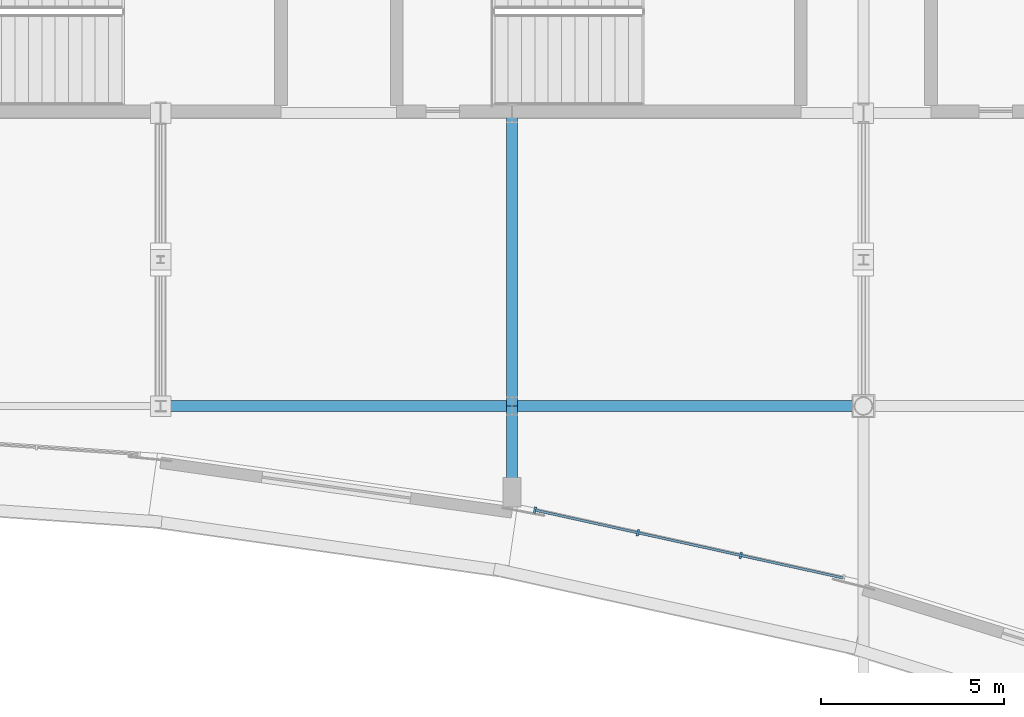
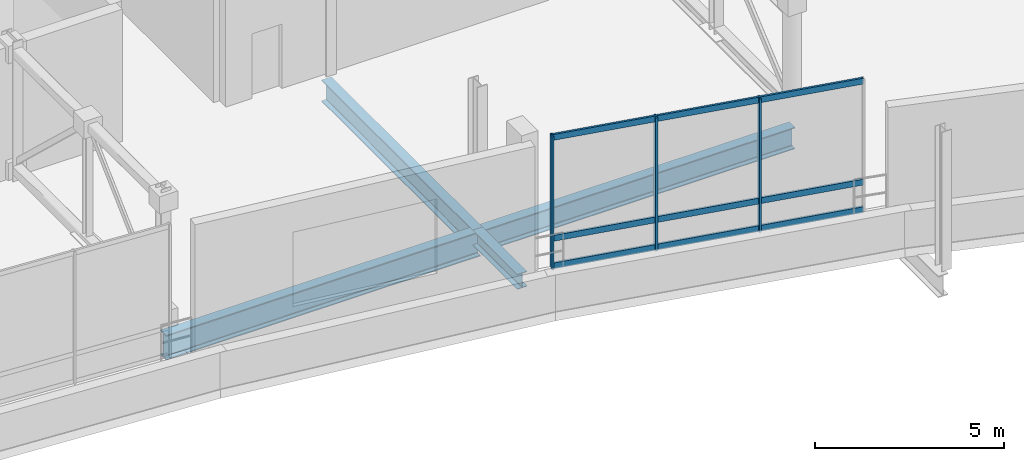
# One storey, part 37 of 193: 6 members, 4 beams, 1 element without a shape of its own.
"""IFC4 building model written with IfcOpenShell, lengths in metres."""

from ifc_helpers import new_model, si_unit, direction, frame, origin, origin_2d, place, context, subcontext, project, spatial, rectangle, i_section, extrude, material, material_profile, profile_set, type_object, element, aggregate, save


model = new_model("IFC4")

# Units and contexts
model_context = context("Model", 3, precision=1e-05, world=origin(), true_north=direction((0.0, 1.0)))
body_context = subcontext(model_context, "Body", "Model", "MODEL_VIEW")
ifc_project = project(units=[si_unit("LENGTHUNIT", "METRE"), si_unit("AREAUNIT", "SQUARE_METRE"), si_unit("VOLUMEUNIT", "CUBIC_METRE"), si_unit("PLANEANGLEUNIT", "RADIAN"), si_unit("MASSUNIT", "GRAM", prefix="KILO")], contexts=[model_context])

# Site, building, storey
site_placement = place(None, origin())
site = spatial("IfcSite", under=ifc_project, at=site_placement, CompositionType="ELEMENT")
building_placement = place(site_placement, origin())
building = spatial("IfcBuilding", under=site, at=building_placement, Name="Danafjord Basin Convention Centre", CompositionType="ELEMENT")
storey_placement = place(building_placement, frame((0.0, 0.0, 11.39990234375)))
storey = spatial("IfcBuildingStorey", under=building, at=storey_placement, Name="L02", CompositionType="ELEMENT", Elevation=11.39990234375)

# Beams
ifc_material_1 = material(Name="Steel S355", Category="steel")
ifc_material_profile_1 = material_profile(ifc_material_1, i_section(OverallWidth=0.300048828125, OverallDepth=0.489990234375, WebThickness=0.011962890625, FlangeThickness=0.02294921875, FilletRadius=0.027099609375, at=origin_2d()), Name="HEA 500")
ifc_profile_set_1 = profile_set([ifc_material_profile_1], Name="Steel S355")
beam_type_1 = type_object("IfcBeamType", Name="BEAM-BM-HEA500", PredefinedType="BEAM", material=ifc_profile_set_1)
beam_1_placement = place(storey_placement, frame((86.39990234375, 5.64306640625, -0.494873046875), z_axis=(0.0, 1.0, 0.0), x_axis=(-1.0, 0.0, 0.0)))
element("IfcBeam", 1, at=beam_1_placement, inside=storey, type_object=beam_type_1, Name="L02 radial harbour arc girder", PredefinedType="BEAM", context=body_context, shape_type="SweptSolid", body=[
    extrude(i_section(OverallWidth=0.300048828125, OverallDepth=0.489990234375, WebThickness=0.011962890625, FlangeThickness=0.02294921875, FilletRadius=0.027099609375, at=origin_2d()), origin(), (0.0, 0.0, 1.0), 2.35693359375),
])
ifc_material_profile_2 = material_profile(ifc_material_1, i_section(OverallWidth=0.300048828125, OverallDepth=0.699951171875, WebThickness=0.01708984375, FlangeThickness=0.031982421875, FilletRadius=0.027099609375, at=origin_2d()), Name="HEB 700")
ifc_profile_set_2 = profile_set([ifc_material_profile_2], Name="Steel S355")
beam_type_2 = type_object("IfcBeamType", Name="BEAM-BM-HEB700", PredefinedType="BEAM", material=ifc_profile_set_2)
beam_2_placement = place(storey_placement, frame((86.39990234375, 8.0, -0.599853515625), z_axis=(1.0, 0.0, 0.0), x_axis=(0.0, 1.0, 0.0)))
element("IfcBeam", 2, at=beam_2_placement, inside=storey, type_object=beam_type_2, Name="L02 girder BM-HEB700", PredefinedType="BEAM", context=body_context, shape_type="SweptSolid", body=[
    extrude(i_section(OverallWidth=0.300048828125, OverallDepth=0.699951171875, WebThickness=0.01708984375, FlangeThickness=0.031982421875, FilletRadius=0.027099609375, at=origin_2d()), origin(), (0.0, 0.0, 1.0), 9.60009765625),
])
beam_3_placement = place(storey_placement, frame((86.39990234375, 8.0, -0.599853515625), z_axis=(0.0, 1.0, 0.0), x_axis=(-1.0, 0.0, 0.0)))
element("IfcBeam", 3, at=beam_3_placement, inside=storey, type_object=beam_type_2, Name="L02 transverse girder BM-HEB700", PredefinedType="BEAM", context=body_context, shape_type="SweptSolid", body=[
    extrude(i_section(OverallWidth=0.300048828125, OverallDepth=0.699951171875, WebThickness=0.01708984375, FlangeThickness=0.031982421875, FilletRadius=0.027099609375, at=origin_2d()), origin(), (0.0, 0.0, 1.0), 8.0),
])
ifc_material_profile_3 = material_profile(ifc_material_1, i_section(OverallWidth=0.300048828125, OverallDepth=0.800048828125, WebThickness=0.017578125, FlangeThickness=0.032958984375, FilletRadius=0.030029296875, at=origin_2d()), Name="HEB 800")
ifc_profile_set_3 = profile_set([ifc_material_profile_3], Name="Steel S355")
beam_type_3 = type_object("IfcBeamType", Name="BEAM-BM-HEB800", PredefinedType="BEAM", material=ifc_profile_set_3)
beam_4_placement = place(storey_placement, frame((76.800048828125, 8.0, -0.64990234375), z_axis=(1.0, 0.0, 0.0), x_axis=(0.0, 1.0, 0.0)))
element("IfcBeam", 4, at=beam_4_placement, inside=storey, type_object=beam_type_3, Name="L02 girder BM-HEB800", PredefinedType="BEAM", context=body_context, shape_type="SweptSolid", body=[
    extrude(i_section(OverallWidth=0.300048828125, OverallDepth=0.800048828125, WebThickness=0.017578125, FlangeThickness=0.032958984375, FilletRadius=0.030029296875, at=origin_2d()), origin(), (0.0, 0.0, 1.0), 9.599853515625),
])

# Curtain wall, members
ifc_material_2 = material(Name="Anodised aluminium and triple glazing", Category="aluminium")
curtain_wall_type = type_object("IfcCurtainWallType", Name="CW-CW-HARB", PredefinedType="NOTDEFINED", material=ifc_material_2)
curtain_wall_placement = place(storey_placement, origin())
curtain_wall = element("IfcCurtainWall", 5, at=curtain_wall_placement, inside=storey, type_object=curtain_wall_type, Name="L02 CW-HARB unitised curtain wall bay 26", PredefinedType="NOTDEFINED")
ifc_material_3 = material(Name="Anodised aluminium EN AW-6060", Category="aluminium")
ifc_material_profile_4 = material_profile(ifc_material_3, rectangle(XDim=0.06005859375, YDim=0.179931640625, at=origin_2d()), Name="MULL 60x180")
ifc_profile_set_4 = profile_set([ifc_material_profile_4], Name="Anodised aluminium EN AW-6060")
member_type_1 = type_object("IfcMemberType", Name="MEM-ML-180", PredefinedType="MULLION", material=ifc_profile_set_4)
member_1_placement = place(storey_placement, frame((87.028564453125, 5.1572265625, -0.02490234375), z_axis=(0.0, 0.0, 1.0), x_axis=(0.976623114167, -0.214958816695, 0.0)))
member_1 = element("IfcMember", 6, at=member_1_placement, type_object=member_type_1, Name="CW-L02-026 mullion 1", PredefinedType="MULLION", context=body_context, shape_type="SweptSolid", body=[
    extrude(rectangle(XDim=0.06005859375, YDim=0.179931640625, at=origin_2d()), origin(), (0.0, 0.0, 1.0), 4.304931640625),
])
member_2_placement = place(storey_placement, frame((89.837890625, 4.5390625, -0.02490234375), z_axis=(0.0, 0.0, 1.0), x_axis=(0.976623114167, -0.214958816695, 0.0)))
member_2 = element("IfcMember", 7, at=member_2_placement, type_object=member_type_1, Name="CW-L02-026 mullion 2", PredefinedType="MULLION", context=body_context, shape_type="SweptSolid", body=[
    extrude(rectangle(XDim=0.06005859375, YDim=0.179931640625, at=origin_2d()), origin(), (0.0, 0.0, 1.0), 4.304931640625),
])
member_3_placement = place(storey_placement, frame((92.647216796875, 3.920654296875, -0.02490234375), z_axis=(0.0, 0.0, 1.0), x_axis=(0.976623114167, -0.214958816695, 0.0)))
member_3 = element("IfcMember", 8, at=member_3_placement, type_object=member_type_1, Name="CW-L02-026 mullion 3", PredefinedType="MULLION", context=body_context, shape_type="SweptSolid", body=[
    extrude(rectangle(XDim=0.06005859375, YDim=0.179931640625, at=origin_2d()), origin(), (0.0, 0.0, 1.0), 4.304931640625),
])
ifc_material_profile_5 = material_profile(ifc_material_3, rectangle(XDim=0.06494140625, YDim=0.18994140625, at=origin_2d()), Name="TRAN 65x190")
ifc_profile_set_5 = profile_set([ifc_material_profile_5], Name="Anodised aluminium EN AW-6060")
member_type_2 = type_object("IfcMemberType", Name="MEM-TR-190", PredefinedType="USERDEFINED", material=ifc_profile_set_5)
member_4_placement = place(storey_placement, frame((87.028564453125, 5.1572265625, 0.06005859375), z_axis=(0.976624396642, -0.214952989939, 0.0), x_axis=(0.214952989939, 0.976624396642, 0.0)))
member_4 = element("IfcMember", 9, at=member_4_placement, type_object=member_type_2, Name="CW-L02-026 transom 1", ObjectType="TRANSOM", PredefinedType="USERDEFINED", context=body_context, shape_type="SweptSolid", body=[
    extrude(rectangle(XDim=0.06494140625, YDim=0.18994140625, at=origin_2d()), origin(), (0.0, 0.0, 1.0), 8.629638671875),
])
member_5_placement = place(storey_placement, frame((87.028564453125, 5.1572265625, 0.9501953125), z_axis=(0.976624396642, -0.214952989939, 0.0), x_axis=(0.214952989939, 0.976624396642, 0.0)))
member_5 = element("IfcMember", 10, at=member_5_placement, type_object=member_type_2, Name="CW-L02-026 transom 2", ObjectType="TRANSOM", PredefinedType="USERDEFINED", context=body_context, shape_type="SweptSolid", body=[
    extrude(rectangle(XDim=0.06494140625, YDim=0.18994140625, at=origin_2d()), origin(), (0.0, 0.0, 1.0), 8.629638671875),
])
member_6_placement = place(storey_placement, frame((87.028564453125, 5.1572265625, 4.210205078125), z_axis=(0.976624396642, -0.214952989939, 0.0), x_axis=(0.214952989939, 0.976624396642, 0.0)))
member_6 = element("IfcMember", 11, at=member_6_placement, type_object=member_type_2, Name="CW-L02-026 transom 3", ObjectType="TRANSOM", PredefinedType="USERDEFINED", context=body_context, shape_type="SweptSolid", body=[
    extrude(rectangle(XDim=0.06494140625, YDim=0.18994140625, at=origin_2d()), origin(), (0.0, 0.0, 1.0), 8.629638671875),
])
aggregate(curtain_wall, [member_1, member_2, member_3, member_4, member_5, member_6])

save(model, "model.ifc")
